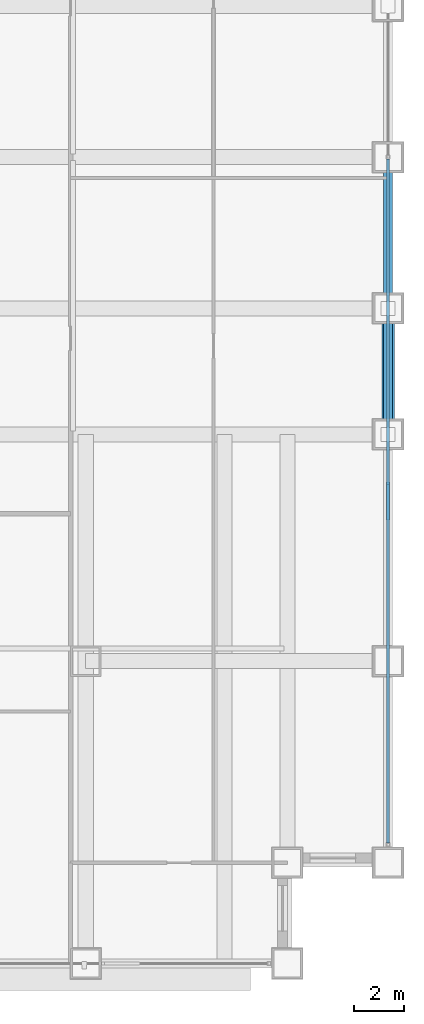
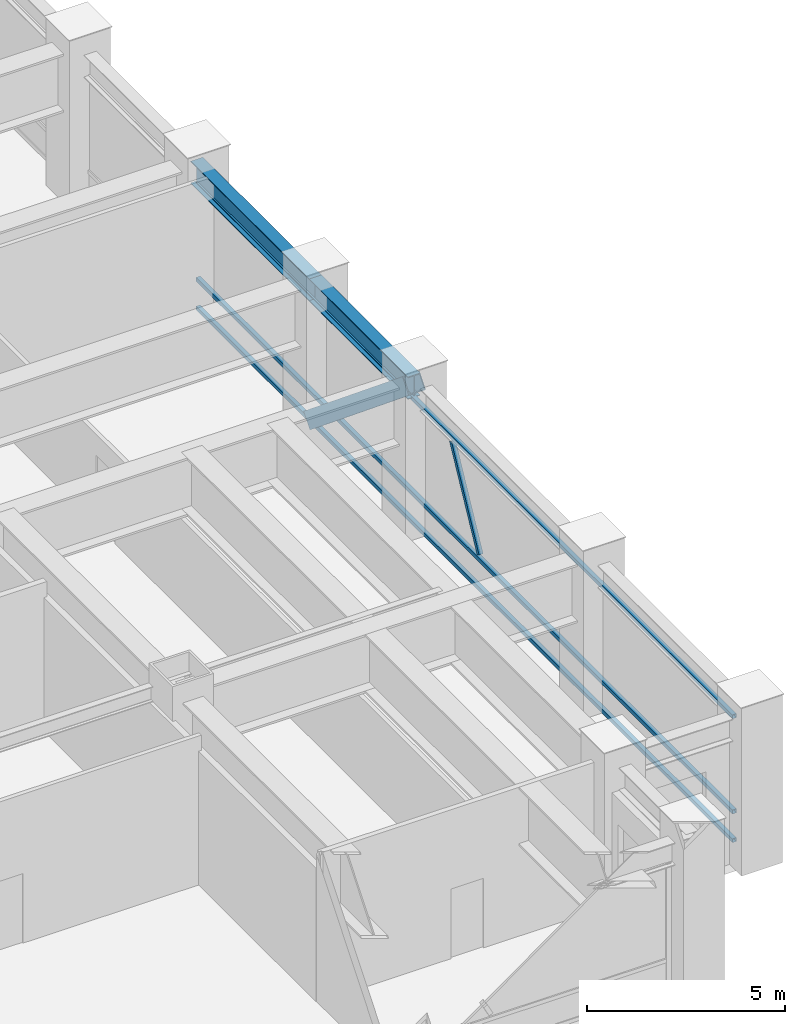
# One storey, part 15 of 34: 5 members, 2 beams, 1 element without a shape of its own.
"""IFC4 building model written with IfcOpenShell, lengths in metres."""

from ifc_helpers import new_model, si_unit, direction, frame, origin, origin_2d, place, context, subcontext, project, spatial, hollow_rectangle, i_section, extrude, source, transform, mapped, material, material_profile, profile_set, type_object, element, aggregate, save


model = new_model("IFC4")

# Units and contexts
model_context = context("Model", 3, precision=1e-05, world=origin(), true_north=direction((0.0, 1.0)))
body_context = subcontext(model_context, "Body", "Model", "MODEL_VIEW")
ifc_project = project(units=[si_unit("LENGTHUNIT", "METRE"), si_unit("AREAUNIT", "SQUARE_METRE"), si_unit("VOLUMEUNIT", "CUBIC_METRE"), si_unit("PLANEANGLEUNIT", "RADIAN"), si_unit("MASSUNIT", "GRAM", prefix="KILO")], contexts=[model_context])

# Site, building, storey
site_placement = place(None, origin())
site = spatial("IfcSite", under=ifc_project, at=site_placement, CompositionType="ELEMENT")
building_placement = place(site_placement, origin())
building = spatial("IfcBuilding", under=site, at=building_placement, Name="Khorayat Bourse Tower", CompositionType="ELEMENT")
storey_placement = place(building_placement, frame((0.0, 0.0, 144.699951171875)))
storey = spatial("IfcBuildingStorey", under=building, at=storey_placement, Name="L33", CompositionType="ELEMENT", Elevation=144.699951171875)

# Beams
ifc_material_1 = material(Name="Steel ASTM A992 Grade 50", Category="steel")
ifc_material_profile_1 = material_profile(ifc_material_1, i_section(OverallWidth=0.35498046875, OverallDepth=0.695068359375, WebThickness=0.015380859375, FlangeThickness=0.02490234375, FilletRadius=0.01806640625, at=origin_2d()), Name="W690X217")
ifc_profile_set_1 = profile_set([ifc_material_profile_1], Name="Steel ASTM A992 Grade 50")
beam_type = type_object("IfcBeamType", Name="BM-SPAN-690", PredefinedType="SPANDREL", material=ifc_profile_set_1)
shared_shape_1 = source(origin(), body_context, "Body", "SweptSolid", [
    extrude(i_section(OverallWidth=0.35498046875, OverallDepth=0.695068359375, WebThickness=0.015380859375, FlangeThickness=0.02490234375, FilletRadius=0.01806640625, at=origin_2d()), origin(), (0.0, 0.0, 1.0), 5.0),
])
beam_1_placement = place(storey_placement, frame((32.0, -11.0, 4.25244140625), z_axis=(0.0, 1.0, 0.0), x_axis=(-1.0, 0.0, 0.0)))
element("IfcBeam", 1, at=beam_1_placement, inside=storey, type_object=beam_type, Name="L33 BM-SPAN-690 BM-L33-SPN-036", PredefinedType="SPANDREL", context=body_context, shape_type="MappedRepresentation", body=[
    mapped(shared_shape_1, transform((0.0, 0.0, 0.0), scale=1.0)),
])
shared_shape_2 = source(origin(), body_context, "Body", "SweptSolid", [
    extrude(i_section(OverallWidth=0.35498046875, OverallDepth=0.695068359375, WebThickness=0.015380859375, FlangeThickness=0.02490234375, FilletRadius=0.01806640625, at=origin_2d()), origin(), (0.0, 0.0, 1.0), 6.0),
])
beam_2_placement = place(storey_placement, frame((32.0, -6.0, 4.25244140625), z_axis=(0.0, 1.0, 0.0), x_axis=(-1.0, 0.0, 0.0)))
element("IfcBeam", 2, at=beam_2_placement, inside=storey, type_object=beam_type, Name="L33 BM-SPAN-690 BM-L33-SPN-037", PredefinedType="SPANDREL", context=body_context, shape_type="MappedRepresentation", body=[
    mapped(shared_shape_2, transform((0.0, 0.0, 0.0), scale=1.0)),
])

# Member
ifc_material_2 = material(Name="Steel EN 10025-4 S460M", Category="steel")
ifc_material_profile_2 = material_profile(ifc_material_2, hollow_rectangle(XDim=0.5, YDim=0.5, WallThickness=0.028076171875, at=origin_2d()), Name="HSS 500x500x28")
ifc_profile_set_2 = profile_set([ifc_material_profile_2], Name="Steel EN 10025-4 S460M")
member_type_1 = type_object("IfcMemberType", Name="MBR-TUBE-500", PredefinedType="BRACE", material=ifc_profile_set_2)
shared_shape_3 = source(origin(), body_context, "Body", "SweptSolid", [
    extrude(hollow_rectangle(XDim=0.5, YDim=0.5, WallThickness=0.028076171875, at=origin_2d()), origin(), (0.0, 0.0, 1.0), 6.466064453125),
])
member_1_placement = place(storey_placement, frame((32.0, -11.0, 4.35009765625), z_axis=(0.0, 0.773260385368, -0.634088618744), x_axis=(-1.0, 0.0, 0.0)))
element("IfcMember", 3, at=member_1_placement, inside=storey, type_object=member_type_1, Name="L33 Perimeter Tube Brace 07", PredefinedType="BRACE", context=body_context, shape_type="MappedRepresentation", body=[
    mapped(shared_shape_3, transform((0.0, 0.0, 0.0), scale=1.0)),
])

# Curtain wall, members
ifc_material_3 = material(Name="Aluminium EN AW-6063 T6", Category="aluminium")
curtain_wall_type = type_object("IfcCurtainWallType", Name="CW-SYS-05", PredefinedType="NOTDEFINED", material=ifc_material_3)
curtain_wall_placement = place(storey_placement, origin())
curtain_wall = element("IfcCurtainWall", 4, at=curtain_wall_placement, inside=storey, type_object=curtain_wall_type, Name="L33 Curtain Wall CW-L33-E1", PredefinedType="NOTDEFINED")
ifc_material_profile_3 = material_profile(ifc_material_3, hollow_rectangle(XDim=0.1201171875, YDim=0.1201171875, WallThickness=0.0048828125, at=origin_2d()), Name="ALU 120x120x5")
ifc_profile_set_3 = profile_set([ifc_material_profile_3], Name="Aluminium EN AW-6063 T6")
member_type_2 = type_object("IfcMemberType", Name="CWM-DIAG-120", PredefinedType="MULLION", material=ifc_profile_set_3)
shared_shape_4 = source(origin(), body_context, "Body", "SweptSolid", [
    extrude(hollow_rectangle(XDim=0.1201171875, YDim=0.1201171875, WallThickness=0.0048828125, at=origin_2d()), origin(), (0.0, 0.0, 1.0), 3.005859375),
])
member_2_placement = place(storey_placement, frame((32.0, -14.340087890625, 1.090087890625), z_axis=(0.0, 0.465796644007, 0.884891793629), x_axis=(-1.0, 0.0, 0.0)))
member_2 = element("IfcMember", 5, at=member_2_placement, type_object=member_type_2, Name="CW-L33-E1 Faceted Diagonal Mullion 1", PredefinedType="MULLION", context=body_context, shape_type="MappedRepresentation", body=[
    mapped(shared_shape_4, transform((0.0, 0.0, 0.0), scale=1.0)),
])
ifc_material_profile_4 = material_profile(ifc_material_3, hollow_rectangle(XDim=0.1201171875, YDim=0.1201171875, WallThickness=0.0048828125, at=origin_2d()), Name="ALU 120x120x5")
ifc_profile_set_4 = profile_set([ifc_material_profile_4], Name="Aluminium EN AW-6063 T6")
member_type_3 = type_object("IfcMemberType", Name="CWT-HORZ-120", PredefinedType="USERDEFINED", material=ifc_profile_set_4)
shared_shape_5 = source(origin(), body_context, "Body", "SweptSolid", [
    extrude(hollow_rectangle(XDim=0.1201171875, YDim=0.1201171875, WallThickness=0.0048828125, at=origin_2d()), origin(), (0.0, 0.0, 1.0), 27.139892578125),
])
member_3_placement = place(storey_placement, frame((32.0, -27.2099609375, 0.06005859375), z_axis=(0.0, 1.0, 0.0), x_axis=(-1.0, 0.0, 0.0)))
member_3 = element("IfcMember", 6, at=member_3_placement, type_object=member_type_3, Name="CW-L33-E1 Horizontal Transom 1-1", ObjectType="TRANSOM", PredefinedType="USERDEFINED", context=body_context, shape_type="MappedRepresentation", body=[
    mapped(shared_shape_5, transform((0.0, 0.0, 0.0), scale=1.0)),
])
member_4_placement = place(storey_placement, frame((32.0, -27.2099609375, 0.949951171875), z_axis=(0.0, 1.0, 0.0), x_axis=(-1.0, 0.0, 0.0)))
member_4 = element("IfcMember", 7, at=member_4_placement, type_object=member_type_3, Name="CW-L33-E1 Horizontal Transom 1-2", ObjectType="TRANSOM", PredefinedType="USERDEFINED", context=body_context, shape_type="MappedRepresentation", body=[
    mapped(shared_shape_5, transform((0.0, 0.0, 0.0), scale=1.0)),
])
member_5_placement = place(storey_placement, frame((32.0, -27.2099609375, 3.89013671875), z_axis=(0.0, 1.0, 0.0), x_axis=(-1.0, 0.0, 0.0)))
member_5 = element("IfcMember", 8, at=member_5_placement, type_object=member_type_3, Name="CW-L33-E1 Horizontal Transom 1-3", ObjectType="TRANSOM", PredefinedType="USERDEFINED", context=body_context, shape_type="MappedRepresentation", body=[
    mapped(shared_shape_5, transform((0.0, 0.0, 0.0), scale=1.0)),
])
aggregate(curtain_wall, [member_3, member_4, member_5, member_2])

save(model, "model.ifc")
